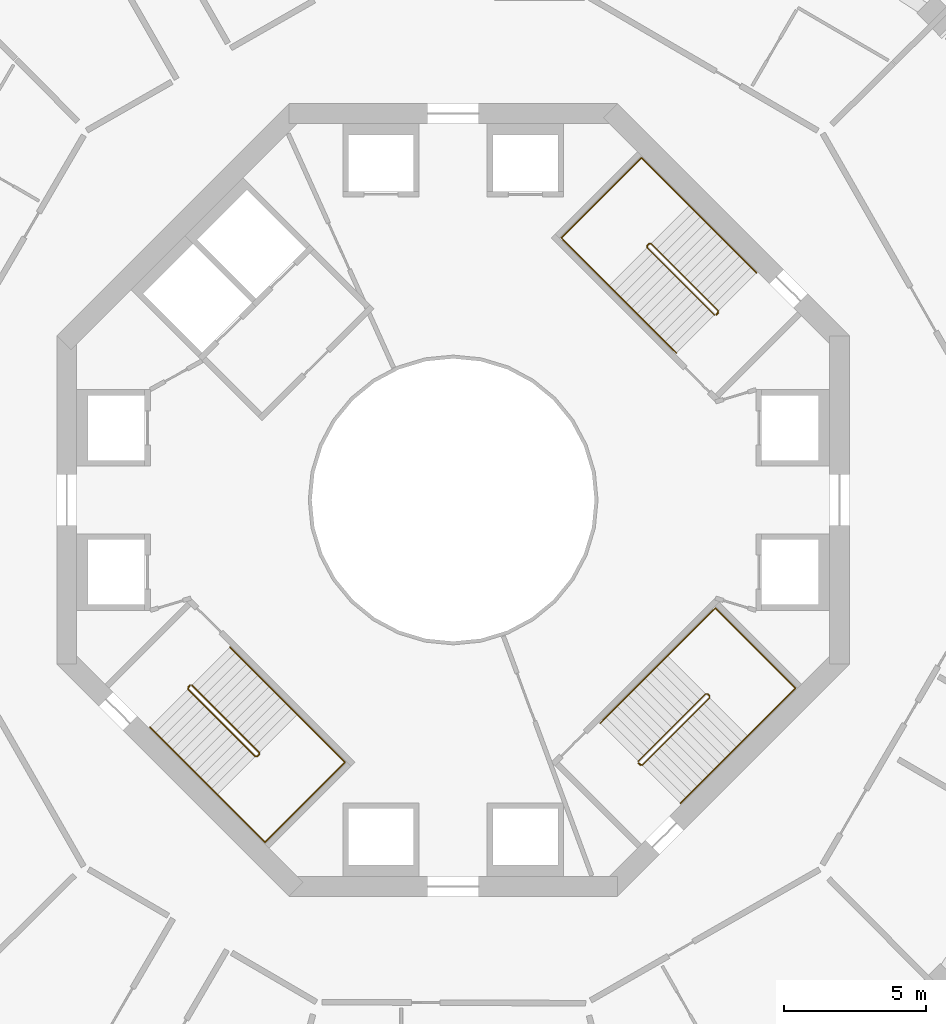
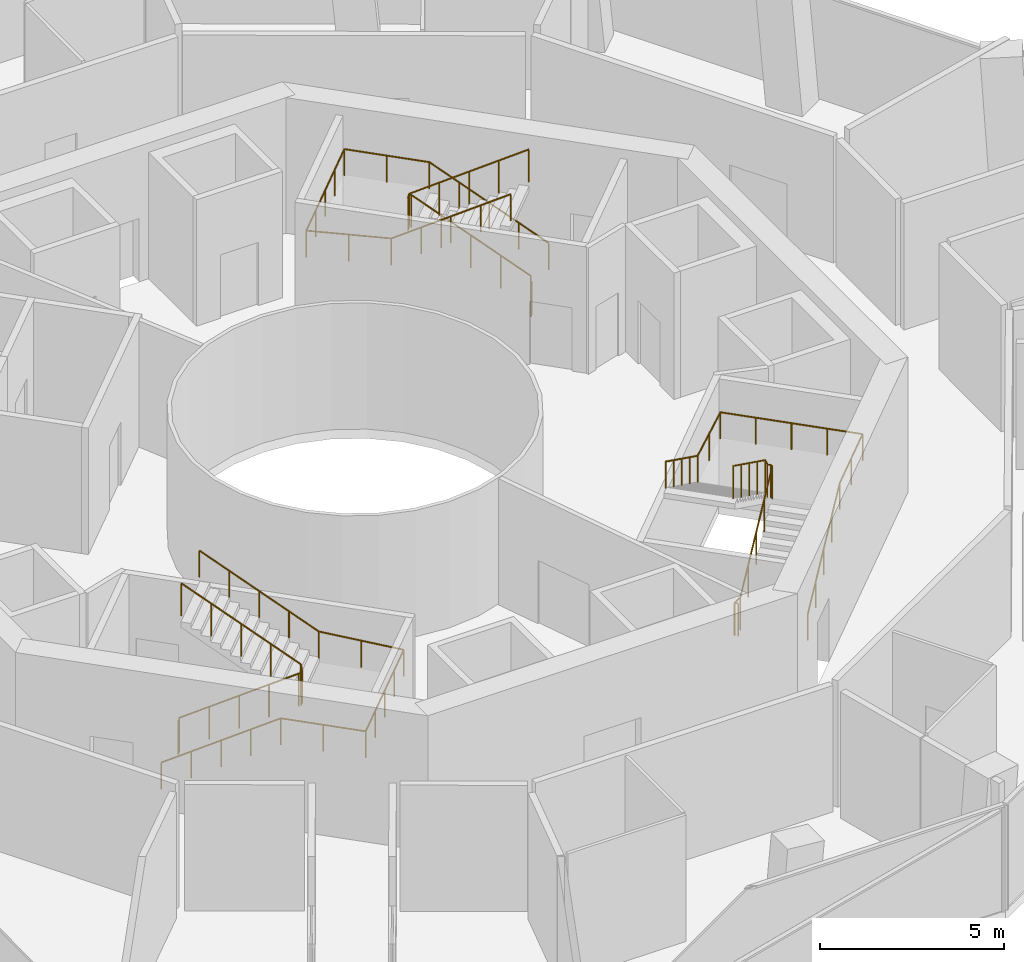
# One storey, part 16 of 16: 6 railings.
"""IFC4 building model written with IfcOpenShell, lengths in metres."""

from ifc_helpers import new_model, si_unit, direction, frame, origin, origin_2d, place, context, subcontext, project, spatial, circle, extrude, material, type_object, element, save


model = new_model("IFC4")

# Units and contexts
model_context = context("Model", 3, precision=1e-05, world=origin(), true_north=direction((0.0, 1.0)))
body_context = subcontext(model_context, "Body", "Model", "MODEL_VIEW")
ifc_project = project(units=[si_unit("LENGTHUNIT", "METRE"), si_unit("AREAUNIT", "SQUARE_METRE"), si_unit("VOLUMEUNIT", "CUBIC_METRE"), si_unit("PLANEANGLEUNIT", "RADIAN"), si_unit("MASSUNIT", "GRAM", prefix="KILO")], contexts=[model_context])

# Site, building, storey
site_placement = place(None, origin())
site = spatial("IfcSite", under=ifc_project, at=site_placement, CompositionType="ELEMENT")
building_placement = place(site_placement, origin())
building = spatial("IfcBuilding", under=site, at=building_placement, Name="Verdalira Terraces Hotel", CompositionType="ELEMENT")
storey_placement = place(building_placement, frame((0.0, 0.0, 154.0)))
storey = spatial("IfcBuildingStorey", under=building, at=storey_placement, Name="L37", CompositionType="ELEMENT", Elevation=154.0)

# Railings
ifc_material_1 = material(Name="Stainless steel", Category="steel")
railing_type_1 = type_object("IfcRailingType", Name="Stair guard 1100", PredefinedType="GUARDRAIL", material=ifc_material_1)
railing_1_placement = place(storey_placement, frame((9.369141, 6.611328, 0.0)))
element("IfcRailing", 1, at=railing_1_placement, inside=storey, type_object=railing_type_1, Name="L37 ST1 stair guard 1", PredefinedType="GUARDRAIL", context=body_context, shape_type="SweptSolid", body=[
    extrude(circle(Radius=0.023926, at=origin_2d()), frame((0.0, 0.0, 1.076172), z_axis=(-0.70832698, -0.705884473, 0.0), x_axis=(0.705884473, -0.70832698, 0.0)), (0.0, 0.0, 1.0), 0.099854),
    extrude(circle(Radius=0.023926, at=origin_2d()), frame((-0.070801, -0.070557, 1.076172), z_axis=(0.302014195, 0.602986962, 0.738372636), x_axis=(-0.894118129, 0.447831187, 0.0)), (0.0, 0.0, 1.0), 0.234375),
    extrude(circle(Radius=0.023926, at=origin_2d()), frame((0.0, 0.070801, 1.249023), z_axis=(-0.601482972, 0.601482972, 0.52577226), x_axis=(-0.707106781, -0.707106781, 0.0)), (0.0, 0.0, 1.0), 3.950195),
    extrude(circle(Radius=0.023926, at=origin_2d()), frame((-2.375977, 2.446777, 3.326172), z_axis=(-1.0, 0.0, 0.0), x_axis=(0.0, -1.0, 0.0)), (0.0, 0.0, 1.0), 0.070557),
    extrude(circle(Radius=0.023926, at=origin_2d()), frame((-2.446533, 2.446777, 3.326172), z_axis=(-0.707106781, -0.707106781, 0.0), x_axis=(0.707106781, -0.707106781, 0.0)), (0.0, 0.0, 1.0), 0.100098),
    extrude(circle(Radius=0.023926, at=origin_2d()), frame((-2.517334, 2.375977, 3.326172), z_axis=(0.0, -0.378582013, 0.92556775), x_axis=(1.0, 0.0, 0.0)), (0.0, 0.0, 1.0), 0.187012),
    extrude(circle(Radius=0.023926, at=origin_2d()), frame((-2.517334, 2.305176, 3.499023), z_axis=(0.601505331, -0.601443524, 0.525791806), x_axis=(0.707070449, 0.707143111, 0.0)), (0.0, 0.0, 1.0), 3.949951),
    extrude(circle(Radius=0.020996, at=origin_2d()), origin(), (0.0, 0.0, 1.0), 1.052002),
    extrude(circle(Radius=0.020996, at=origin_2d()), frame((-0.070801, -0.070557, 0.0)), (0.0, 0.0, 1.0), 1.052002),
    extrude(circle(Radius=0.020996, at=origin_2d()), frame((0.0, 0.070801, 0.173096)), (0.0, 0.0, 1.0), 1.052002),
    extrude(circle(Radius=0.020996, at=origin_2d()), frame((-0.593994, 0.664795, 0.692383)), (0.0, 0.0, 1.0), 1.052002),
    extrude(circle(Radius=0.020996, at=origin_2d()), frame((-1.187988, 1.258789, 1.211426)), (0.0, 0.0, 1.0), 1.052002),
    extrude(circle(Radius=0.020996, at=origin_2d()), frame((-1.781982, 1.852783, 1.730713)), (0.0, 0.0, 1.0), 1.052002),
    extrude(circle(Radius=0.020996, at=origin_2d()), frame((-2.375977, 2.446777, 2.25)), (0.0, 0.0, 1.0), 1.052002),
    extrude(circle(Radius=0.020996, at=origin_2d()), frame((-2.446533, 2.446777, 2.25)), (0.0, 0.0, 1.0), 1.052002),
    extrude(circle(Radius=0.020996, at=origin_2d()), frame((-2.517334, 2.375977, 2.25)), (0.0, 0.0, 1.0), 1.052002),
    extrude(circle(Radius=0.020996, at=origin_2d()), frame((-2.517334, 2.305176, 2.423096)), (0.0, 0.0, 1.0), 1.052002),
    extrude(circle(Radius=0.020996, at=origin_2d()), frame((-1.92334, 1.711182, 2.942383)), (0.0, 0.0, 1.0), 1.052002),
    extrude(circle(Radius=0.020996, at=origin_2d()), frame((-1.329346, 1.117188, 3.461426)), (0.0, 0.0, 1.0), 1.052002),
    extrude(circle(Radius=0.020996, at=origin_2d()), frame((-0.735352, 0.523438, 3.980713)), (0.0, 0.0, 1.0), 1.052002),
    extrude(circle(Radius=0.020996, at=origin_2d()), frame((-0.141357, -0.070557, 4.5)), (0.0, 0.0, 1.0), 1.052002),
])
railing_2_placement = place(storey_placement, frame((-9.369141, -6.611328, 0.0)))
element("IfcRailing", 2, at=railing_2_placement, inside=storey, type_object=railing_type_1, Name="L37 ST2 stair guard 1", PredefinedType="GUARDRAIL", context=body_context, shape_type="SweptSolid", body=[
    extrude(circle(Radius=0.023926, at=origin_2d()), frame((0.0, 0.0, 1.076172), z_axis=(0.70832698, 0.705884473, 0.0), x_axis=(-0.705884473, 0.70832698, 0.0)), (0.0, 0.0, 1.0), 0.099854),
    extrude(circle(Radius=0.023926, at=origin_2d()), frame((0.070801, 0.070557, 1.076172), z_axis=(-0.302014195, -0.602986962, 0.738372636), x_axis=(0.894118129, -0.447831187, 0.0)), (0.0, 0.0, 1.0), 0.234375),
    extrude(circle(Radius=0.023926, at=origin_2d()), frame((0.0, -0.070801, 1.249023), z_axis=(0.601482972, -0.601482972, 0.52577226), x_axis=(0.707106781, 0.707106781, 0.0)), (0.0, 0.0, 1.0), 3.950195),
    extrude(circle(Radius=0.023926, at=origin_2d()), frame((2.375977, -2.446777, 3.326172), z_axis=(1.0, 0.0, 0.0), x_axis=(0.0, 1.0, 0.0)), (0.0, 0.0, 1.0), 0.070557),
    extrude(circle(Radius=0.023926, at=origin_2d()), frame((2.446533, -2.446777, 3.326172), z_axis=(0.707106781, 0.707106781, 0.0), x_axis=(-0.707106781, 0.707106781, 0.0)), (0.0, 0.0, 1.0), 0.100098),
    extrude(circle(Radius=0.023926, at=origin_2d()), frame((2.517334, -2.375977, 3.326172), z_axis=(0.0, 0.378582013, 0.92556775), x_axis=(-1.0, 0.0, 0.0)), (0.0, 0.0, 1.0), 0.187012),
    extrude(circle(Radius=0.023926, at=origin_2d()), frame((2.517334, -2.305176, 3.499023), z_axis=(-0.601505331, 0.601443524, 0.525791806), x_axis=(-0.707070449, -0.707143111, 0.0)), (0.0, 0.0, 1.0), 3.949951),
    extrude(circle(Radius=0.020996, at=origin_2d()), origin(), (0.0, 0.0, 1.0), 1.052002),
    extrude(circle(Radius=0.020996, at=origin_2d()), frame((0.070801, 0.070557, 0.0)), (0.0, 0.0, 1.0), 1.052002),
    extrude(circle(Radius=0.020996, at=origin_2d()), frame((0.0, -0.070801, 0.173096)), (0.0, 0.0, 1.0), 1.052002),
    extrude(circle(Radius=0.020996, at=origin_2d()), frame((0.593994, -0.664795, 0.692383)), (0.0, 0.0, 1.0), 1.052002),
    extrude(circle(Radius=0.020996, at=origin_2d()), frame((1.187988, -1.258789, 1.211426)), (0.0, 0.0, 1.0), 1.052002),
    extrude(circle(Radius=0.020996, at=origin_2d()), frame((1.781982, -1.852783, 1.730713)), (0.0, 0.0, 1.0), 1.052002),
    extrude(circle(Radius=0.020996, at=origin_2d()), frame((2.375977, -2.446777, 2.25)), (0.0, 0.0, 1.0), 1.052002),
    extrude(circle(Radius=0.020996, at=origin_2d()), frame((2.446533, -2.446777, 2.25)), (0.0, 0.0, 1.0), 1.052002),
    extrude(circle(Radius=0.020996, at=origin_2d()), frame((2.517334, -2.375977, 2.25)), (0.0, 0.0, 1.0), 1.052002),
    extrude(circle(Radius=0.020996, at=origin_2d()), frame((2.517334, -2.305176, 2.423096)), (0.0, 0.0, 1.0), 1.052002),
    extrude(circle(Radius=0.020996, at=origin_2d()), frame((1.92334, -1.711182, 2.942383)), (0.0, 0.0, 1.0), 1.052002),
    extrude(circle(Radius=0.020996, at=origin_2d()), frame((1.329346, -1.117188, 3.461426)), (0.0, 0.0, 1.0), 1.052002),
    extrude(circle(Radius=0.020996, at=origin_2d()), frame((0.735352, -0.523438, 3.980713)), (0.0, 0.0, 1.0), 1.052002),
    extrude(circle(Radius=0.020996, at=origin_2d()), frame((0.141357, 0.070557, 4.5)), (0.0, 0.0, 1.0), 1.052002),
])
railing_3_placement = place(storey_placement, frame((6.611328, -9.369141, 0.0)))
element("IfcRailing", 3, at=railing_3_placement, inside=storey, type_object=railing_type_1, Name="L37 ST3 stair guard 1", PredefinedType="GUARDRAIL", context=body_context, shape_type="SweptSolid", body=[
    extrude(circle(Radius=0.023926, at=origin_2d()), frame((0.0, 0.0, 1.076172), z_axis=(-0.705884473, 0.70832698, 0.0), x_axis=(-0.70832698, -0.705884473, 0.0)), (0.0, 0.0, 1.0), 0.099854),
    extrude(circle(Radius=0.023926, at=origin_2d()), frame((-0.070557, 0.070801, 1.076172), z_axis=(0.602986962, -0.302014195, 0.738372636), x_axis=(0.447831187, 0.894118129, 0.0)), (0.0, 0.0, 1.0), 0.234375),
    extrude(circle(Radius=0.023926, at=origin_2d()), frame((0.070801, 0.0, 1.249023), z_axis=(0.601482972, 0.601482972, 0.52577226), x_axis=(-0.707106781, 0.707106781, 0.0)), (0.0, 0.0, 1.0), 3.950195),
    extrude(circle(Radius=0.023926, at=origin_2d()), frame((2.446777, 2.375977, 3.326172), z_axis=(0.0, 1.0, 0.0), x_axis=(-1.0, 0.0, 0.0)), (0.0, 0.0, 1.0), 0.070557),
    extrude(circle(Radius=0.023926, at=origin_2d()), frame((2.446777, 2.446533, 3.326172), z_axis=(-0.707106781, 0.707106781, 0.0), x_axis=(-0.707106781, -0.707106781, 0.0)), (0.0, 0.0, 1.0), 0.100098),
    extrude(circle(Radius=0.023926, at=origin_2d()), frame((2.375977, 2.517334, 3.326172), z_axis=(-0.378582013, 0.0, 0.92556775), x_axis=(0.0, -1.0, 0.0)), (0.0, 0.0, 1.0), 0.187012),
    extrude(circle(Radius=0.023926, at=origin_2d()), frame((2.305176, 2.517334, 3.499023), z_axis=(-0.601443524, -0.601505331, 0.525791806), x_axis=(0.707143111, -0.707070449, 0.0)), (0.0, 0.0, 1.0), 3.949951),
    extrude(circle(Radius=0.020996, at=origin_2d()), origin(), (0.0, 0.0, 1.0), 1.052002),
    extrude(circle(Radius=0.020996, at=origin_2d()), frame((-0.070557, 0.070801, 0.0)), (0.0, 0.0, 1.0), 1.052002),
    extrude(circle(Radius=0.020996, at=origin_2d()), frame((0.070801, 0.0, 0.173096)), (0.0, 0.0, 1.0), 1.052002),
    extrude(circle(Radius=0.020996, at=origin_2d()), frame((0.664795, 0.593994, 0.692383)), (0.0, 0.0, 1.0), 1.052002),
    extrude(circle(Radius=0.020996, at=origin_2d()), frame((1.258789, 1.187988, 1.211426)), (0.0, 0.0, 1.0), 1.052002),
    extrude(circle(Radius=0.020996, at=origin_2d()), frame((1.852783, 1.781982, 1.730713)), (0.0, 0.0, 1.0), 1.052002),
    extrude(circle(Radius=0.020996, at=origin_2d()), frame((2.446777, 2.375977, 2.25)), (0.0, 0.0, 1.0), 1.052002),
    extrude(circle(Radius=0.020996, at=origin_2d()), frame((2.446777, 2.446533, 2.25)), (0.0, 0.0, 1.0), 1.052002),
    extrude(circle(Radius=0.020996, at=origin_2d()), frame((2.375977, 2.517334, 2.25)), (0.0, 0.0, 1.0), 1.052002),
    extrude(circle(Radius=0.020996, at=origin_2d()), frame((2.305176, 2.517334, 2.423096)), (0.0, 0.0, 1.0), 1.052002),
    extrude(circle(Radius=0.020996, at=origin_2d()), frame((1.711182, 1.92334, 2.942383)), (0.0, 0.0, 1.0), 1.052002),
    extrude(circle(Radius=0.020996, at=origin_2d()), frame((1.117188, 1.329346, 3.461426)), (0.0, 0.0, 1.0), 1.052002),
    extrude(circle(Radius=0.020996, at=origin_2d()), frame((0.523438, 0.735352, 3.980713)), (0.0, 0.0, 1.0), 1.052002),
    extrude(circle(Radius=0.020996, at=origin_2d()), frame((-0.070557, 0.141357, 4.5)), (0.0, 0.0, 1.0), 1.052002),
])
ifc_material_2 = material(Name="Stainless steel", Category="steel")
railing_type_2 = type_object("IfcRailingType", Name="Stair handrail 900", PredefinedType="HANDRAIL", material=ifc_material_2)
railing_4_placement = place(storey_placement, frame((10.712646, 8.025635, 0.173096)))
element("IfcRailing", 4, at=railing_4_placement, inside=storey, type_object=railing_type_2, Name="L37 ST1 stair handrail 1", PredefinedType="HANDRAIL", context=body_context, shape_type="SweptSolid", body=[
    extrude(circle(Radius=0.023926, at=origin_2d()), frame((0.0, 0.0, 0.875977), z_axis=(-0.601482972, 0.601482972, 0.52577226), x_axis=(-0.707106781, -0.707106781, 0.0)), (0.0, 0.0, 1.0), 3.950195),
    extrude(circle(Radius=0.023926, at=origin_2d()), frame((-2.375977, 2.375977, 2.952637), z_axis=(-0.707106781, 0.707106781, 0.0), x_axis=(-0.707106781, -0.707106781, 0.0)), (0.0, 0.0, 1.0), 2.389893),
    extrude(circle(Radius=0.023926, at=origin_2d()), frame((-4.065918, 4.065918, 2.952637), z_axis=(-0.707106781, -0.707106781, 0.0), x_axis=(0.707106781, -0.707106781, 0.0)), (0.0, 0.0, 1.0), 4.0),
    extrude(circle(Radius=0.023926, at=origin_2d()), frame((-6.894287, 1.237549, 2.952637), z_axis=(0.705208753, -0.705310632, 0.072232448), x_axis=(0.707157852, 0.707055706, 0.0)), (0.0, 0.0, 1.0), 2.396484),
    extrude(circle(Radius=0.023926, at=origin_2d()), frame((-5.204346, -0.452637, 3.125977), z_axis=(0.601505331, -0.601443524, 0.525791806), x_axis=(0.707070449, 0.707143111, 0.0)), (0.0, 0.0, 1.0), 3.949951),
    extrude(circle(Radius=0.020996, at=origin_2d()), origin(), (0.0, 0.0, 1.0), 0.851807),
    extrude(circle(Radius=0.020996, at=origin_2d()), frame((-0.593994, 0.593994, 0.519287)), (0.0, 0.0, 1.0), 0.851807),
    extrude(circle(Radius=0.020996, at=origin_2d()), frame((-1.187988, 1.187988, 1.038574)), (0.0, 0.0, 1.0), 0.851807),
    extrude(circle(Radius=0.020996, at=origin_2d()), frame((-1.781982, 1.781982, 1.557617)), (0.0, 0.0, 1.0), 0.851807),
    extrude(circle(Radius=0.020996, at=origin_2d()), frame((-2.375977, 2.375977, 2.076904)), (0.0, 0.0, 1.0), 0.851807),
    extrude(circle(Radius=0.020996, at=origin_2d()), frame((-3.220947, 3.220947, 2.076904)), (0.0, 0.0, 1.0), 0.851807),
    extrude(circle(Radius=0.020996, at=origin_2d()), frame((-4.065918, 4.065918, 2.076904)), (0.0, 0.0, 1.0), 0.851807),
    extrude(circle(Radius=0.020996, at=origin_2d()), frame((-4.772949, 3.358887, 2.076904)), (0.0, 0.0, 1.0), 0.851807),
    extrude(circle(Radius=0.020996, at=origin_2d()), frame((-5.47998, 2.651855, 2.076904)), (0.0, 0.0, 1.0), 0.851807),
    extrude(circle(Radius=0.020996, at=origin_2d()), frame((-6.187256, 1.94458, 2.076904)), (0.0, 0.0, 1.0), 0.851807),
    extrude(circle(Radius=0.020996, at=origin_2d()), frame((-6.894287, 1.237549, 2.076904)), (0.0, 0.0, 1.0), 0.851807),
    extrude(circle(Radius=0.020996, at=origin_2d()), frame((-6.049316, 0.392578, 2.163574)), (0.0, 0.0, 1.0), 0.851807),
    extrude(circle(Radius=0.020996, at=origin_2d()), frame((-5.204346, -0.452637, 2.25)), (0.0, 0.0, 1.0), 0.851807),
    extrude(circle(Radius=0.020996, at=origin_2d()), frame((-4.610352, -1.046631, 2.769287)), (0.0, 0.0, 1.0), 0.851807),
    extrude(circle(Radius=0.020996, at=origin_2d()), frame((-4.016357, -1.640625, 3.288574)), (0.0, 0.0, 1.0), 0.851807),
    extrude(circle(Radius=0.020996, at=origin_2d()), frame((-3.422363, -2.234375, 3.807617)), (0.0, 0.0, 1.0), 0.851807),
    extrude(circle(Radius=0.020996, at=origin_2d()), frame((-2.828369, -2.828369, 4.326904)), (0.0, 0.0, 1.0), 0.851807),
])
railing_5_placement = place(storey_placement, frame((-10.712646, -8.025635, 0.173096)))
element("IfcRailing", 5, at=railing_5_placement, inside=storey, type_object=railing_type_2, Name="L37 ST2 stair handrail 1", PredefinedType="HANDRAIL", context=body_context, shape_type="SweptSolid", body=[
    extrude(circle(Radius=0.023926, at=origin_2d()), frame((0.0, 0.0, 0.875977), z_axis=(0.601482972, -0.601482972, 0.52577226), x_axis=(0.707106781, 0.707106781, 0.0)), (0.0, 0.0, 1.0), 3.950195),
    extrude(circle(Radius=0.023926, at=origin_2d()), frame((2.375977, -2.375977, 2.952637), z_axis=(0.707106781, -0.707106781, 0.0), x_axis=(0.707106781, 0.707106781, 0.0)), (0.0, 0.0, 1.0), 2.389893),
    extrude(circle(Radius=0.023926, at=origin_2d()), frame((4.065918, -4.065918, 2.952637), z_axis=(0.707106781, 0.707106781, 0.0), x_axis=(-0.707106781, 0.707106781, 0.0)), (0.0, 0.0, 1.0), 4.0),
    extrude(circle(Radius=0.023926, at=origin_2d()), frame((6.894287, -1.237549, 2.952637), z_axis=(-0.705208753, 0.705310632, 0.072232448), x_axis=(-0.707157852, -0.707055706, 0.0)), (0.0, 0.0, 1.0), 2.396484),
    extrude(circle(Radius=0.023926, at=origin_2d()), frame((5.204346, 0.452637, 3.125977), z_axis=(-0.601505331, 0.601443524, 0.525791806), x_axis=(-0.707070449, -0.707143111, 0.0)), (0.0, 0.0, 1.0), 3.949951),
    extrude(circle(Radius=0.020996, at=origin_2d()), origin(), (0.0, 0.0, 1.0), 0.851807),
    extrude(circle(Radius=0.020996, at=origin_2d()), frame((0.593994, -0.593994, 0.519287)), (0.0, 0.0, 1.0), 0.851807),
    extrude(circle(Radius=0.020996, at=origin_2d()), frame((1.187988, -1.187988, 1.038574)), (0.0, 0.0, 1.0), 0.851807),
    extrude(circle(Radius=0.020996, at=origin_2d()), frame((1.781982, -1.781982, 1.557617)), (0.0, 0.0, 1.0), 0.851807),
    extrude(circle(Radius=0.020996, at=origin_2d()), frame((2.375977, -2.375977, 2.076904)), (0.0, 0.0, 1.0), 0.851807),
    extrude(circle(Radius=0.020996, at=origin_2d()), frame((3.220947, -3.220947, 2.076904)), (0.0, 0.0, 1.0), 0.851807),
    extrude(circle(Radius=0.020996, at=origin_2d()), frame((4.065918, -4.065918, 2.076904)), (0.0, 0.0, 1.0), 0.851807),
    extrude(circle(Radius=0.020996, at=origin_2d()), frame((4.772949, -3.358887, 2.076904)), (0.0, 0.0, 1.0), 0.851807),
    extrude(circle(Radius=0.020996, at=origin_2d()), frame((5.47998, -2.651855, 2.076904)), (0.0, 0.0, 1.0), 0.851807),
    extrude(circle(Radius=0.020996, at=origin_2d()), frame((6.187256, -1.94458, 2.076904)), (0.0, 0.0, 1.0), 0.851807),
    extrude(circle(Radius=0.020996, at=origin_2d()), frame((6.894287, -1.237549, 2.076904)), (0.0, 0.0, 1.0), 0.851807),
    extrude(circle(Radius=0.020996, at=origin_2d()), frame((6.049316, -0.392578, 2.163574)), (0.0, 0.0, 1.0), 0.851807),
    extrude(circle(Radius=0.020996, at=origin_2d()), frame((5.204346, 0.452637, 2.25)), (0.0, 0.0, 1.0), 0.851807),
    extrude(circle(Radius=0.020996, at=origin_2d()), frame((4.610352, 1.046631, 2.769287)), (0.0, 0.0, 1.0), 0.851807),
    extrude(circle(Radius=0.020996, at=origin_2d()), frame((4.016357, 1.640625, 3.288574)), (0.0, 0.0, 1.0), 0.851807),
    extrude(circle(Radius=0.020996, at=origin_2d()), frame((3.422363, 2.234375, 3.807617)), (0.0, 0.0, 1.0), 0.851807),
    extrude(circle(Radius=0.020996, at=origin_2d()), frame((2.828369, 2.828369, 4.326904)), (0.0, 0.0, 1.0), 0.851807),
])
railing_6_placement = place(storey_placement, frame((8.025635, -10.712646, 0.173096)))
element("IfcRailing", 6, at=railing_6_placement, inside=storey, type_object=railing_type_2, Name="L37 ST3 stair handrail 1", PredefinedType="HANDRAIL", context=body_context, shape_type="SweptSolid", body=[
    extrude(circle(Radius=0.023926, at=origin_2d()), frame((0.0, 0.0, 0.875977), z_axis=(0.601482972, 0.601482972, 0.52577226), x_axis=(-0.707106781, 0.707106781, 0.0)), (0.0, 0.0, 1.0), 3.950195),
    extrude(circle(Radius=0.023926, at=origin_2d()), frame((2.375977, 2.375977, 2.952637), z_axis=(0.707106781, 0.707106781, 0.0), x_axis=(-0.707106781, 0.707106781, 0.0)), (0.0, 0.0, 1.0), 2.389893),
    extrude(circle(Radius=0.023926, at=origin_2d()), frame((4.065918, 4.065918, 2.952637), z_axis=(-0.707106781, 0.707106781, 0.0), x_axis=(-0.707106781, -0.707106781, 0.0)), (0.0, 0.0, 1.0), 4.0),
    extrude(circle(Radius=0.023926, at=origin_2d()), frame((1.237549, 6.894287, 2.952637), z_axis=(-0.705310632, -0.705208753, 0.072232448), x_axis=(0.707055706, -0.707157852, 0.0)), (0.0, 0.0, 1.0), 2.396484),
    extrude(circle(Radius=0.023926, at=origin_2d()), frame((-0.452637, 5.204346, 3.125977), z_axis=(-0.601443524, -0.601505331, 0.525791806), x_axis=(0.707143111, -0.707070449, 0.0)), (0.0, 0.0, 1.0), 3.949951),
    extrude(circle(Radius=0.020996, at=origin_2d()), origin(), (0.0, 0.0, 1.0), 0.851807),
    extrude(circle(Radius=0.020996, at=origin_2d()), frame((0.593994, 0.593994, 0.519287)), (0.0, 0.0, 1.0), 0.851807),
    extrude(circle(Radius=0.020996, at=origin_2d()), frame((1.187988, 1.187988, 1.038574)), (0.0, 0.0, 1.0), 0.851807),
    extrude(circle(Radius=0.020996, at=origin_2d()), frame((1.781982, 1.781982, 1.557617)), (0.0, 0.0, 1.0), 0.851807),
    extrude(circle(Radius=0.020996, at=origin_2d()), frame((2.375977, 2.375977, 2.076904)), (0.0, 0.0, 1.0), 0.851807),
    extrude(circle(Radius=0.020996, at=origin_2d()), frame((3.220947, 3.220947, 2.076904)), (0.0, 0.0, 1.0), 0.851807),
    extrude(circle(Radius=0.020996, at=origin_2d()), frame((4.065918, 4.065918, 2.076904)), (0.0, 0.0, 1.0), 0.851807),
    extrude(circle(Radius=0.020996, at=origin_2d()), frame((3.358887, 4.772949, 2.076904)), (0.0, 0.0, 1.0), 0.851807),
    extrude(circle(Radius=0.020996, at=origin_2d()), frame((2.651855, 5.47998, 2.076904)), (0.0, 0.0, 1.0), 0.851807),
    extrude(circle(Radius=0.020996, at=origin_2d()), frame((1.94458, 6.187256, 2.076904)), (0.0, 0.0, 1.0), 0.851807),
    extrude(circle(Radius=0.020996, at=origin_2d()), frame((1.237549, 6.894287, 2.076904)), (0.0, 0.0, 1.0), 0.851807),
    extrude(circle(Radius=0.020996, at=origin_2d()), frame((0.392578, 6.049316, 2.163574)), (0.0, 0.0, 1.0), 0.851807),
    extrude(circle(Radius=0.020996, at=origin_2d()), frame((-0.452637, 5.204346, 2.25)), (0.0, 0.0, 1.0), 0.851807),
    extrude(circle(Radius=0.020996, at=origin_2d()), frame((-1.046631, 4.610352, 2.769287)), (0.0, 0.0, 1.0), 0.851807),
    extrude(circle(Radius=0.020996, at=origin_2d()), frame((-1.640625, 4.016357, 3.288574)), (0.0, 0.0, 1.0), 0.851807),
    extrude(circle(Radius=0.020996, at=origin_2d()), frame((-2.234375, 3.422363, 3.807617)), (0.0, 0.0, 1.0), 0.851807),
    extrude(circle(Radius=0.020996, at=origin_2d()), frame((-2.828369, 2.828369, 4.326904)), (0.0, 0.0, 1.0), 0.851807),
])

save(model, "model.ifc")
